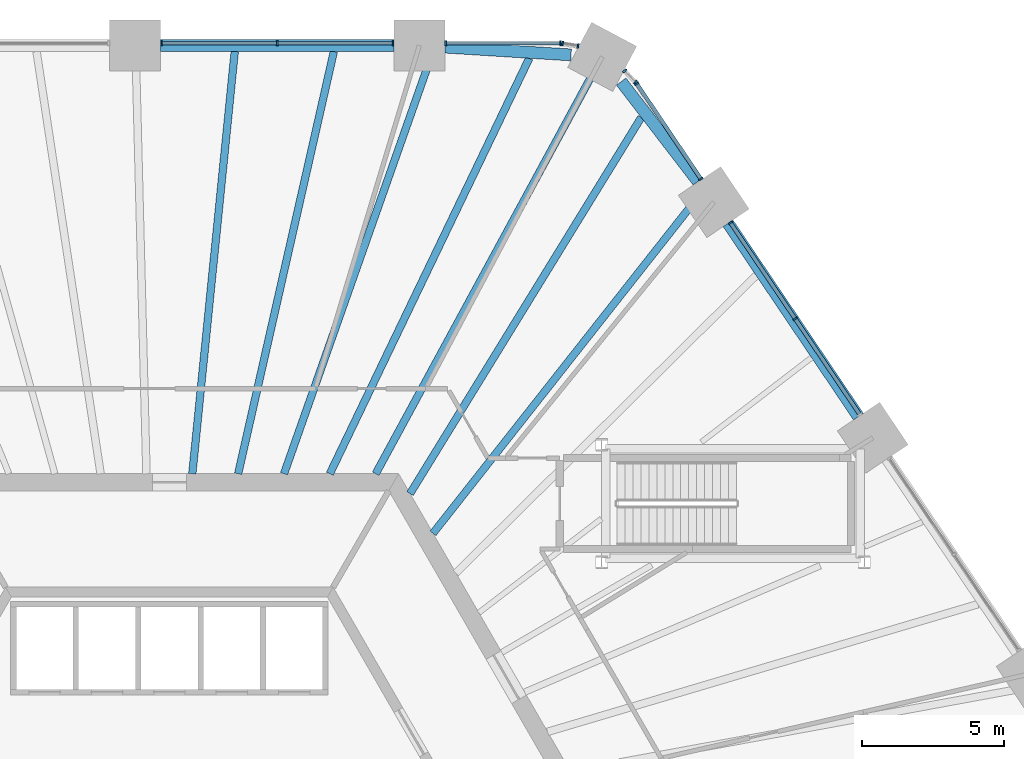
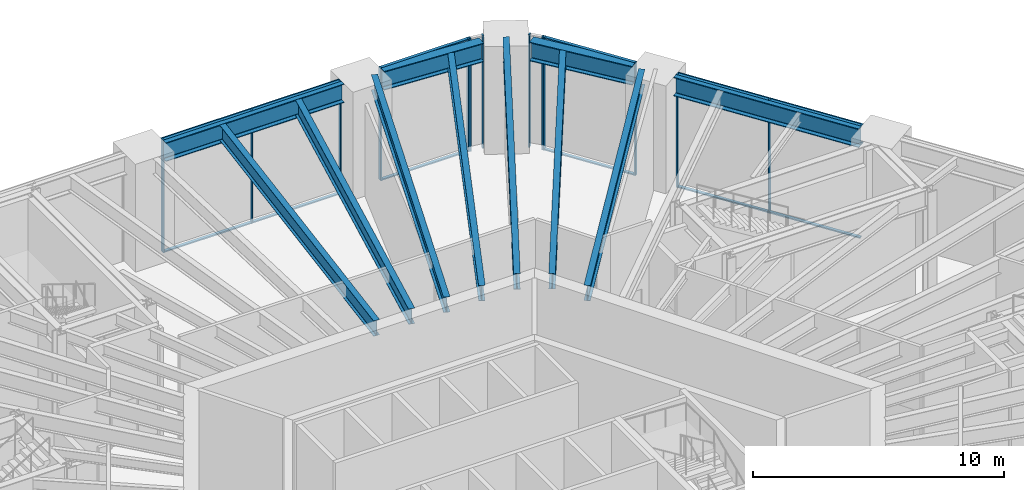
# One storey, part 10 of 30: 25 members, 11 beams, 6 elements without a shape of their own.
"""IFC4 building model written with IfcOpenShell, lengths in metres."""

from ifc_helpers import new_model, si_unit, direction, frame, origin, origin_2d, place, context, subcontext, project, spatial, rectangle, i_section, extrude, material, material_profile, profile_set, type_object, element, aggregate, save


model = new_model("IFC4")

# Units and contexts
model_context = context("Model", 3, precision=1e-05, world=origin(), true_north=direction((0.0, 1.0)))
body_context = subcontext(model_context, "Body", "Model", "MODEL_VIEW")
ifc_project = project(units=[si_unit("LENGTHUNIT", "METRE"), si_unit("AREAUNIT", "SQUARE_METRE"), si_unit("VOLUMEUNIT", "CUBIC_METRE"), si_unit("PLANEANGLEUNIT", "RADIAN"), si_unit("MASSUNIT", "GRAM", prefix="KILO")], contexts=[model_context])

# Site, building, storey
site_placement = place(None, origin())
site = spatial("IfcSite", under=ifc_project, at=site_placement, CompositionType="ELEMENT")
building_placement = place(site_placement, origin())
building = spatial("IfcBuilding", under=site, at=building_placement, Name="Tarnside Tower", CompositionType="ELEMENT")
storey_placement = place(building_placement, frame((0.0, 0.0, 20.5)))
storey = spatial("IfcBuildingStorey", under=building, at=storey_placement, Name="L03", CompositionType="ELEMENT", Elevation=20.5)

# Beams
ifc_material_1 = material(Name="Steel S355", Category="steel")
ifc_material_profile_1 = material_profile(ifc_material_1, i_section(OverallWidth=0.26513671875, OverallDepth=0.75390625, WebThickness=0.0126953125, FlangeThickness=0.017578125, FilletRadius=0.0166015625, at=origin_2d()), Name="UB 762x267x147")
ifc_profile_set_1 = profile_set([ifc_material_profile_1], Name="Steel S355")
beam_type_1 = type_object("IfcBeamType", Name="Floor beam UB 762x267x147", PredefinedType="BEAM", material=ifc_profile_set_1)
beam_1_placement = place(storey_placement, frame((9.283935546875, 28.860107421875, 4.873046875), z_axis=(-0.332689636341, -0.943036375688, 0.0), x_axis=(0.943036375688, -0.332689636341, 0.0)))
element("IfcBeam", 1, at=beam_1_placement, inside=storey, type_object=beam_type_1, Name="Floor beam F1.02", PredefinedType="BEAM", context=body_context, shape_type="SweptSolid", body=[
    extrude(i_section(OverallWidth=0.26513671875, OverallDepth=0.75390625, WebThickness=0.0126953125, FlangeThickness=0.017578125, FilletRadius=0.0166015625, at=origin_2d()), origin(), (0.0, 0.0, 1.0), 15.7578125),
])
beam_2_placement = place(storey_placement, frame((5.799560546875, 28.8896484375, 4.873046875), z_axis=(-0.221044632162, -0.975263692851, 0.0), x_axis=(0.975263692851, -0.221044632162, 0.0)))
element("IfcBeam", 2, at=beam_2_placement, inside=storey, type_object=beam_type_1, Name="Floor beam F1.03", PredefinedType="BEAM", context=body_context, shape_type="SweptSolid", body=[
    extrude(i_section(OverallWidth=0.26513671875, OverallDepth=0.75390625, WebThickness=0.0126953125, FlangeThickness=0.017578125, FilletRadius=0.0166015625, at=origin_2d()), origin(), (0.0, 0.0, 1.0), 15.267333984375),
])
beam_3_placement = place(storey_placement, frame((2.304931640625, 28.889892578125, 4.873046875), z_axis=(-0.100006054522, -0.994986828586, 0.0), x_axis=(0.994986828586, -0.100006054522, 0.0)))
element("IfcBeam", 3, at=beam_3_placement, inside=storey, type_object=beam_type_1, Name="Floor beam F1.04", PredefinedType="BEAM", context=body_context, shape_type="SweptSolid", body=[
    extrude(i_section(OverallWidth=0.26513671875, OverallDepth=0.75390625, WebThickness=0.0126953125, FlangeThickness=0.017578125, FilletRadius=0.0166015625, at=origin_2d()), origin(), (0.0, 0.0, 1.0), 14.96484375),
])
beam_4_placement = place(storey_placement, frame((18.718017578125, 23.85693359375, 4.873046875), z_axis=(-0.618949882872, -0.785430482279, 0.0), x_axis=(0.785430482279, -0.618949882872, 0.0)))
element("IfcBeam", 4, at=beam_4_placement, inside=storey, type_object=beam_type_1, Name="Floor beam F6.08", PredefinedType="BEAM", context=body_context, shape_type="SweptSolid", body=[
    extrude(i_section(OverallWidth=0.26513671875, OverallDepth=0.75390625, WebThickness=0.0126953125, FlangeThickness=0.017578125, FilletRadius=0.0166015625, at=origin_2d()), origin(), (0.0, 0.0, 1.0), 15.2236328125),
])
beam_5_placement = place(storey_placement, frame((16.638427734375, 26.562744140625, 4.873046875), z_axis=(-0.523617838834, -0.851953260957, 0.0), x_axis=(0.851953260957, -0.523617838834, 0.0)))
element("IfcBeam", 5, at=beam_5_placement, inside=storey, type_object=beam_type_1, Name="Floor beam F6.09", PredefinedType="BEAM", context=body_context, shape_type="SweptSolid", body=[
    extrude(i_section(OverallWidth=0.26513671875, OverallDepth=0.75390625, WebThickness=0.0126953125, FlangeThickness=0.017578125, FilletRadius=0.0166015625, at=origin_2d()), origin(), (0.0, 0.0, 1.0), 15.5673828125),
])
ifc_material_profile_2 = material_profile(ifc_material_1, i_section(OverallWidth=0.2666015625, OverallDepth=0.76220703125, WebThickness=0.014404296875, FlangeThickness=0.021484375, FilletRadius=0.0166015625, at=origin_2d()), Name="UB 762x267x173")
ifc_profile_set_2 = profile_set([ifc_material_profile_2], Name="Steel S355")
beam_type_2 = type_object("IfcBeamType", Name="Floor beam UB 762x267x173", PredefinedType="BEAM", material=ifc_profile_set_2)
beam_6_placement = place(storey_placement, frame((12.690185546875, 28.6494140625, 4.868896484375), z_axis=(-0.432756465896, -0.901510865839, 0.0), x_axis=(0.901510865839, -0.432756465896, 0.0)))
element("IfcBeam", 6, at=beam_6_placement, inside=storey, type_object=beam_type_2, Name="Floor beam F1.01", PredefinedType="BEAM", context=body_context, shape_type="SweptSolid", body=[
    extrude(i_section(OverallWidth=0.2666015625, OverallDepth=0.76220703125, WebThickness=0.014404296875, FlangeThickness=0.021484375, FilletRadius=0.0166015625, at=origin_2d()), origin(), (0.0, 0.0, 1.0), 16.249755859375),
])
beam_7_placement = place(storey_placement, frame((15.14404296875, 28.49755859375, 4.868896484375), z_axis=(-0.477058221257, -0.878871693441, 0.0), x_axis=(0.878871693441, -0.477058221257, 0.0)))
element("IfcBeam", 7, at=beam_7_placement, inside=storey, type_object=beam_type_2, Name="Floor beam C6", PredefinedType="BEAM", context=body_context, shape_type="SweptSolid", body=[
    extrude(i_section(OverallWidth=0.2666015625, OverallDepth=0.76220703125, WebThickness=0.014404296875, FlangeThickness=0.021484375, FilletRadius=0.0166015625, at=origin_2d()), origin(), (0.0, 0.0, 1.0), 16.49560546875),
])
ifc_material_2 = material(Name="Steel S460", Category="steel")
ifc_material_profile_3 = material_profile(ifc_material_2, i_section(OverallWidth=0.42041015625, OverallDepth=0.9208984375, WebThickness=0.021484375, FlangeThickness=0.03662109375, FilletRadius=0.024169921875, at=origin_2d()), Name="UB 914x419x388")
ifc_profile_set_3 = profile_set([ifc_material_profile_3], Name="Steel S460")
beam_type_3 = type_object("IfcBeamType", Name="Perimeter girder UB 914x419x388", PredefinedType="BEAM", material=ifc_profile_set_3)
beam_8_placement = place(storey_placement, frame((7.91259765625, 29.10009765625, 4.78955078125), z_axis=(-1.0, 0.0, 0.0), x_axis=(0.0, -1.0, 0.0)))
element("IfcBeam", 8, at=beam_8_placement, inside=storey, type_object=beam_type_3, Name="Perimeter girder M01", PredefinedType="BEAM", context=body_context, shape_type="SweptSolid", body=[
    extrude(i_section(OverallWidth=0.42041015625, OverallDepth=0.9208984375, WebThickness=0.021484375, FlangeThickness=0.03662109375, FilletRadius=0.024169921875, at=origin_2d()), origin(), (0.0, 0.0, 1.0), 8.2236328125),
])
beam_9_placement = place(storey_placement, frame((24.298828125, 16.0146484375, 4.78955078125), z_axis=(-0.559179633433, 0.829046523154, 0.0), x_axis=(-0.829046523154, -0.559179633433, 0.0)))
element("IfcBeam", 9, at=beam_9_placement, inside=storey, type_object=beam_type_3, Name="Perimeter girder M22", PredefinedType="BEAM", context=body_context, shape_type="SweptSolid", body=[
    extrude(i_section(OverallWidth=0.42041015625, OverallDepth=0.9208984375, WebThickness=0.021484375, FlangeThickness=0.03662109375, FilletRadius=0.024169921875, at=origin_2d()), origin(), (0.0, 0.0, 1.0), 8.223388671875),
])
for number, where, z_axis, x_axis, name in (
    (10, (18.636474609375, 24.307861328125, 4.78955078125), (-0.609328053132, 0.792918232649, 0.0), (-0.792918232649, -0.609328053132, 0.0), "Perimeter girder M23"),
    (11, (14.16259765625, 28.768798828125, 4.78955078125), (-0.998088356317, 0.061803179402, 0.0), (-0.061803179402, -0.998088356317, 0.0), "Perimeter girder M24"),
):
    element("IfcBeam", number, at=place(storey_placement, frame(where, z_axis=z_axis, x_axis=x_axis)), inside=storey, type_object=beam_type_3, Name=name, PredefinedType="BEAM", context=body_context, shape_type="SweptSolid", body=[
        extrude(i_section(OverallWidth=0.42041015625, OverallDepth=0.9208984375, WebThickness=0.021484375, FlangeThickness=0.03662109375, FilletRadius=0.024169921875, at=origin_2d()), origin(), (0.0, 0.0, 1.0), 4.440185546875),
    ])

# Curtain wall, members
ifc_material_3 = material(Name="Retail shopfront glazing wall", Category="glass")
curtain_wall_type = type_object("IfcCurtainWallType", Name="Retail shopfront glazing wall", PredefinedType="NOTDEFINED", material=ifc_material_3)
curtain_wall_1_placement = place(storey_placement, origin())
curtain_wall_1 = element("IfcCurtainWall", 12, at=curtain_wall_1_placement, inside=storey, type_object=curtain_wall_type, Name="Retail shopfront glazing L03 00.0", PredefinedType="NOTDEFINED")
ifc_material_4 = material(Name="Aluminium alloy 6063", Category="aluminium")
ifc_material_profile_4 = material_profile(ifc_material_4, rectangle(XDim=0.159912109375, YDim=0.06005859375, at=origin_2d()), Name="Retail shopfront glazing mullion 60 x 160")
ifc_profile_set_4 = profile_set([ifc_material_profile_4], Name="Aluminium alloy 6063")
member_type_1 = type_object("IfcMemberType", Name="Retail shopfront glazing mullion 60 x 160", PredefinedType="MULLION", material=ifc_profile_set_4)
member_1_placement = place(storey_placement, frame((7.882568359375, 29.179931640625, -0.25), z_axis=(0.0, 0.0, 1.0), x_axis=(0.0, -1.0, 0.0)))
member_1 = element("IfcMember", 13, at=member_1_placement, type_object=member_type_1, Name="CW2 mullion 1", PredefinedType="MULLION", context=body_context, shape_type="SweptSolid", body=[
    extrude(rectangle(XDim=0.159912109375, YDim=0.06005859375, at=origin_2d()), origin(), (0.0, 0.0, 1.0), 5.5),
])
member_2_placement = place(storey_placement, frame((3.80078125, 29.179931640625, -0.25), z_axis=(0.0, 0.0, 1.0), x_axis=(0.0, -1.0, 0.0)))
member_2 = element("IfcMember", 14, at=member_2_placement, type_object=member_type_1, Name="CW2 mullion 2", PredefinedType="MULLION", context=body_context, shape_type="SweptSolid", body=[
    extrude(rectangle(XDim=0.159912109375, YDim=0.06005859375, at=origin_2d()), origin(), (0.0, 0.0, 1.0), 5.5),
])
member_3_placement = place(storey_placement, frame((-0.281005859375, 29.179931640625, -0.25), z_axis=(0.0, 0.0, 1.0), x_axis=(0.0, -1.0, 0.0)))
member_3 = element("IfcMember", 15, at=member_3_placement, type_object=member_type_1, Name="CW2 mullion 3", PredefinedType="MULLION", context=body_context, shape_type="SweptSolid", body=[
    extrude(rectangle(XDim=0.159912109375, YDim=0.06005859375, at=origin_2d()), origin(), (0.0, 0.0, 1.0), 5.5),
])

curtain_wall_2_placement = place(storey_placement, origin())
curtain_wall_2 = element("IfcCurtainWall", 16, at=curtain_wall_2_placement, inside=storey, type_object=curtain_wall_type, Name="Retail shopfront glazing L03 21.0", PredefinedType="NOTDEFINED")
member_4_placement = place(storey_placement, frame((22.06591796875, 19.46826171875, -0.25), z_axis=(0.0, 0.0, 1.0), x_axis=(-0.829037572545, -0.559192903485, 0.0)))
member_4 = element("IfcMember", 17, at=member_4_placement, type_object=member_type_1, Name="CW2 mullion 2", PredefinedType="MULLION", context=body_context, shape_type="SweptSolid", body=[
    extrude(rectangle(XDim=0.159912109375, YDim=0.06005859375, at=origin_2d()), origin(), (0.0, 0.0, 1.0), 5.5),
])
member_5_placement = place(storey_placement, frame((19.783447265625, 22.852294921875, -0.25), z_axis=(0.0, 0.0, 1.0), x_axis=(-0.829037572545, -0.559192903485, 0.0)))
member_5 = element("IfcMember", 18, at=member_5_placement, type_object=member_type_1, Name="CW2 mullion 3", PredefinedType="MULLION", context=body_context, shape_type="SweptSolid", body=[
    extrude(rectangle(XDim=0.159912109375, YDim=0.06005859375, at=origin_2d()), origin(), (0.0, 0.0, 1.0), 5.5),
])

curtain_wall_3_placement = place(storey_placement, origin())
curtain_wall_3 = element("IfcCurtainWall", 19, at=curtain_wall_3_placement, inside=storey, type_object=curtain_wall_type, Name="Retail shopfront glazing L03 22.0", PredefinedType="NOTDEFINED")
member_6_placement = place(storey_placement, frame((18.743408203125, 24.394287109375, -0.25), z_axis=(0.0, 0.0, 1.0), x_axis=(-0.829037572594, -0.559192903413, 0.0)))
member_6 = element("IfcMember", 20, at=member_6_placement, type_object=member_type_1, Name="CW2 mullion 1", PredefinedType="MULLION", context=body_context, shape_type="SweptSolid", body=[
    extrude(rectangle(XDim=0.159912109375, YDim=0.06005859375, at=origin_2d()), origin(), (0.0, 0.0, 1.0), 5.5),
])
member_7_placement = place(storey_placement, frame((16.4775390625, 27.75341796875, -0.25), z_axis=(0.0, 0.0, 1.0), x_axis=(-0.829037572594, -0.559192903413, 0.0)))
member_7 = element("IfcMember", 21, at=member_7_placement, type_object=member_type_1, Name="CW2 mullion 2", PredefinedType="MULLION", context=body_context, shape_type="SweptSolid", body=[
    extrude(rectangle(XDim=0.159912109375, YDim=0.06005859375, at=origin_2d()), origin(), (0.0, 0.0, 1.0), 5.5),
])

curtain_wall_4_placement = place(storey_placement, origin())
curtain_wall_4 = element("IfcCurtainWall", 22, at=curtain_wall_4_placement, inside=storey, type_object=curtain_wall_type, Name="Retail shopfront glazing L03 22.1", PredefinedType="NOTDEFINED")
member_8_placement = place(storey_placement, frame((16.43212890625, 27.810302734375, -0.25), z_axis=(0.0, 0.0, 1.0), x_axis=(-0.727373641625, -0.686241637814, 0.0)))
member_8 = element("IfcMember", 23, at=member_8_placement, type_object=member_type_1, Name="CW2 mullion 1", PredefinedType="MULLION", context=body_context, shape_type="SweptSolid", body=[
    extrude(rectangle(XDim=0.159912109375, YDim=0.06005859375, at=origin_2d()), origin(), (0.0, 0.0, 1.0), 5.5),
])
member_9_placement = place(storey_placement, frame((16.055908203125, 28.208984375, -0.25), z_axis=(0.0, 0.0, 1.0), x_axis=(-0.727373641625, -0.686241637814, 0.0)))
member_9 = element("IfcMember", 24, at=member_9_placement, type_object=member_type_1, Name="CW2 mullion 2", PredefinedType="MULLION", context=body_context, shape_type="SweptSolid", body=[
    extrude(rectangle(XDim=0.159912109375, YDim=0.06005859375, at=origin_2d()), origin(), (0.0, 0.0, 1.0), 5.5),
])
aggregate(curtain_wall_4, [member_8, member_9])

curtain_wall_5_placement = place(storey_placement, origin())
curtain_wall_5 = element("IfcCurtainWall", 25, at=curtain_wall_5_placement, inside=storey, type_object=curtain_wall_type, Name="Retail shopfront glazing L03 23.0", PredefinedType="NOTDEFINED")
member_10_placement = place(storey_placement, frame((14.407958984375, 29.085205078125, -0.25), z_axis=(0.0, 0.0, 1.0), x_axis=(-0.162177923823, -0.986761531995, 0.0)))
member_10 = element("IfcMember", 26, at=member_10_placement, type_object=member_type_1, Name="CW2 mullion 1", PredefinedType="MULLION", context=body_context, shape_type="SweptSolid", body=[
    extrude(rectangle(XDim=0.159912109375, YDim=0.06005859375, at=origin_2d()), origin(), (0.0, 0.0, 1.0), 5.5),
])
member_11_placement = place(storey_placement, frame((13.866943359375, 29.174072265625, -0.25), z_axis=(0.0, 0.0, 1.0), x_axis=(-0.162177923823, -0.986761531995, 0.0)))
member_11 = element("IfcMember", 27, at=member_11_placement, type_object=member_type_1, Name="CW2 mullion 2", PredefinedType="MULLION", context=body_context, shape_type="SweptSolid", body=[
    extrude(rectangle(XDim=0.159912109375, YDim=0.06005859375, at=origin_2d()), origin(), (0.0, 0.0, 1.0), 5.5),
])
aggregate(curtain_wall_5, [member_10, member_11])

curtain_wall_6_placement = place(storey_placement, origin())
curtain_wall_6 = element("IfcCurtainWall", 28, at=curtain_wall_6_placement, inside=storey, type_object=curtain_wall_type, Name="Retail shopfront glazing L03 23.1", PredefinedType="NOTDEFINED")
member_12_placement = place(storey_placement, frame((13.79443359375, 29.179931640625, -0.25), z_axis=(0.0, 0.0, 1.0), x_axis=(0.0, -1.0, 0.0)))
member_12 = element("IfcMember", 29, at=member_12_placement, type_object=member_type_1, Name="CW2 mullion 1", PredefinedType="MULLION", context=body_context, shape_type="SweptSolid", body=[
    extrude(rectangle(XDim=0.159912109375, YDim=0.06005859375, at=origin_2d()), origin(), (0.0, 0.0, 1.0), 5.5),
])
member_13_placement = place(storey_placement, frame((9.74267578125, 29.179931640625, -0.25), z_axis=(0.0, 0.0, 1.0), x_axis=(0.0, -1.0, 0.0)))
member_13 = element("IfcMember", 30, at=member_13_placement, type_object=member_type_1, Name="CW2 mullion 2", PredefinedType="MULLION", context=body_context, shape_type="SweptSolid", body=[
    extrude(rectangle(XDim=0.159912109375, YDim=0.06005859375, at=origin_2d()), origin(), (0.0, 0.0, 1.0), 5.5),
])

# Member
ifc_material_profile_5 = material_profile(ifc_material_4, rectangle(XDim=0.139892578125, YDim=0.06005859375, at=origin_2d()), Name="Retail shopfront glazing transom 60 x 140")
ifc_profile_set_5 = profile_set([ifc_material_profile_5], Name="Aluminium alloy 6063")
member_type_2 = type_object("IfcMemberType", Name="Retail shopfront glazing transom 60 x 140", PredefinedType="USERDEFINED", material=ifc_profile_set_5)
member_14_placement = place(storey_placement, frame((7.8525390625, 29.179931640625, -0.219970703125), z_axis=(-1.0, 0.0, 0.0), x_axis=(0.0, -1.0, 0.0)))
member_14 = element("IfcMember", 31, at=member_14_placement, type_object=member_type_2, Name="CW2 transom 1.1", ObjectType="TRANSOM", PredefinedType="USERDEFINED", context=body_context, shape_type="SweptSolid", body=[
    extrude(rectangle(XDim=0.139892578125, YDim=0.06005859375, at=origin_2d()), origin(), (0.0, 0.0, 1.0), 4.021728515625),
])

member_15_placement = place(storey_placement, frame((7.8525390625, 29.179931640625, 5.219970703125), z_axis=(-1.0, 0.0, 0.0), x_axis=(0.0, -1.0, 0.0)))
member_15 = element("IfcMember", 32, at=member_15_placement, type_object=member_type_2, Name="CW2 transom 1.2", ObjectType="TRANSOM", PredefinedType="USERDEFINED", context=body_context, shape_type="SweptSolid", body=[
    extrude(rectangle(XDim=0.139892578125, YDim=0.06005859375, at=origin_2d()), origin(), (0.0, 0.0, 1.0), 4.021728515625),
])

member_16_placement = place(storey_placement, frame((3.770751953125, 29.179931640625, -0.219970703125), z_axis=(-1.0, 0.0, 0.0), x_axis=(0.0, -1.0, 0.0)))
member_16 = element("IfcMember", 33, at=member_16_placement, type_object=member_type_2, Name="CW2 transom 2.1", ObjectType="TRANSOM", PredefinedType="USERDEFINED", context=body_context, shape_type="SweptSolid", body=[
    extrude(rectangle(XDim=0.139892578125, YDim=0.06005859375, at=origin_2d()), origin(), (0.0, 0.0, 1.0), 4.021728515625),
])

member_17_placement = place(storey_placement, frame((3.770751953125, 29.179931640625, 5.219970703125), z_axis=(-1.0, 0.0, 0.0), x_axis=(0.0, -1.0, 0.0)))
member_17 = element("IfcMember", 34, at=member_17_placement, type_object=member_type_2, Name="CW2 transom 2.2", ObjectType="TRANSOM", PredefinedType="USERDEFINED", context=body_context, shape_type="SweptSolid", body=[
    extrude(rectangle(XDim=0.139892578125, YDim=0.06005859375, at=origin_2d()), origin(), (0.0, 0.0, 1.0), 4.021728515625),
])

aggregate(curtain_wall_1, [member_1, member_2, member_3, member_14, member_15, member_16, member_17])

member_18_placement = place(storey_placement, frame((24.331787109375, 16.109130859375, -0.219970703125), z_axis=(-0.559202799254, 0.829030897679, 0.0), x_axis=(-0.829030897679, -0.559202799254, 0.0)))
member_18 = element("IfcMember", 35, at=member_18_placement, type_object=member_type_2, Name="CW2 transom 1.1", ObjectType="TRANSOM", PredefinedType="USERDEFINED", context=body_context, shape_type="SweptSolid", body=[
    extrude(rectangle(XDim=0.139892578125, YDim=0.06005859375, at=origin_2d()), origin(), (0.0, 0.0, 1.0), 4.021728515625),
])

member_19_placement = place(storey_placement, frame((24.331787109375, 16.109130859375, 5.219970703125), z_axis=(-0.559202799254, 0.829030897679, 0.0), x_axis=(-0.829030897679, -0.559202799254, 0.0)))
member_19 = element("IfcMember", 36, at=member_19_placement, type_object=member_type_2, Name="CW2 transom 1.2", ObjectType="TRANSOM", PredefinedType="USERDEFINED", context=body_context, shape_type="SweptSolid", body=[
    extrude(rectangle(XDim=0.139892578125, YDim=0.06005859375, at=origin_2d()), origin(), (0.0, 0.0, 1.0), 4.021728515625),
])

member_20_placement = place(storey_placement, frame((22.049072265625, 19.4931640625, -0.219970703125), z_axis=(-0.559161075925, 0.829059039617, 0.0), x_axis=(-0.829059039617, -0.559161075925, 0.0)))
member_20 = element("IfcMember", 37, at=member_20_placement, type_object=member_type_2, Name="CW2 transom 2.1", ObjectType="TRANSOM", PredefinedType="USERDEFINED", context=body_context, shape_type="SweptSolid", body=[
    extrude(rectangle(XDim=0.139892578125, YDim=0.06005859375, at=origin_2d()), origin(), (0.0, 0.0, 1.0), 4.021728515625),
])

member_21_placement = place(storey_placement, frame((22.049072265625, 19.4931640625, 5.219970703125), z_axis=(-0.559161075925, 0.829059039617, 0.0), x_axis=(-0.829059039617, -0.559161075925, 0.0)))
member_21 = element("IfcMember", 38, at=member_21_placement, type_object=member_type_2, Name="CW2 transom 2.2", ObjectType="TRANSOM", PredefinedType="USERDEFINED", context=body_context, shape_type="SweptSolid", body=[
    extrude(rectangle(XDim=0.139892578125, YDim=0.06005859375, at=origin_2d()), origin(), (0.0, 0.0, 1.0), 4.021728515625),
])

aggregate(curtain_wall_2, [member_4, member_5, member_18, member_19, member_20, member_21])

member_22_placement = place(storey_placement, frame((18.7265625, 24.419189453125, -0.219970703125), z_axis=(-0.559194461084, 0.829036521929, 0.0), x_axis=(-0.829036521929, -0.559194461084, 0.0)))
member_22 = element("IfcMember", 39, at=member_22_placement, type_object=member_type_2, Name="CW2 transom 1.1", ObjectType="TRANSOM", PredefinedType="USERDEFINED", context=body_context, shape_type="SweptSolid", body=[
    extrude(rectangle(XDim=0.139892578125, YDim=0.06005859375, at=origin_2d()), origin(), (0.0, 0.0, 1.0), 3.99169921875),
])

member_23_placement = place(storey_placement, frame((18.7265625, 24.419189453125, 5.219970703125), z_axis=(-0.559194461084, 0.829036521929, 0.0), x_axis=(-0.829036521929, -0.559194461084, 0.0)))
member_23 = element("IfcMember", 40, at=member_23_placement, type_object=member_type_2, Name="CW2 transom 1.2", ObjectType="TRANSOM", PredefinedType="USERDEFINED", context=body_context, shape_type="SweptSolid", body=[
    extrude(rectangle(XDim=0.139892578125, YDim=0.06005859375, at=origin_2d()), origin(), (0.0, 0.0, 1.0), 3.99169921875),
])

aggregate(curtain_wall_3, [member_6, member_7, member_22, member_23])

member_24_placement = place(storey_placement, frame((13.764404296875, 29.179931640625, -0.219970703125), z_axis=(-1.0, 0.0, 0.0), x_axis=(0.0, -1.0, 0.0)))
member_24 = element("IfcMember", 41, at=member_24_placement, type_object=member_type_2, Name="CW2 transom 1.1", ObjectType="TRANSOM", PredefinedType="USERDEFINED", context=body_context, shape_type="SweptSolid", body=[
    extrude(rectangle(XDim=0.139892578125, YDim=0.06005859375, at=origin_2d()), origin(), (0.0, 0.0, 1.0), 3.99169921875),
])

member_25_placement = place(storey_placement, frame((13.764404296875, 29.179931640625, 5.219970703125), z_axis=(-1.0, 0.0, 0.0), x_axis=(0.0, -1.0, 0.0)))
member_25 = element("IfcMember", 42, at=member_25_placement, type_object=member_type_2, Name="CW2 transom 1.2", ObjectType="TRANSOM", PredefinedType="USERDEFINED", context=body_context, shape_type="SweptSolid", body=[
    extrude(rectangle(XDim=0.139892578125, YDim=0.06005859375, at=origin_2d()), origin(), (0.0, 0.0, 1.0), 3.99169921875),
])

aggregate(curtain_wall_6, [member_12, member_13, member_24, member_25])

save(model, "model.ifc")
